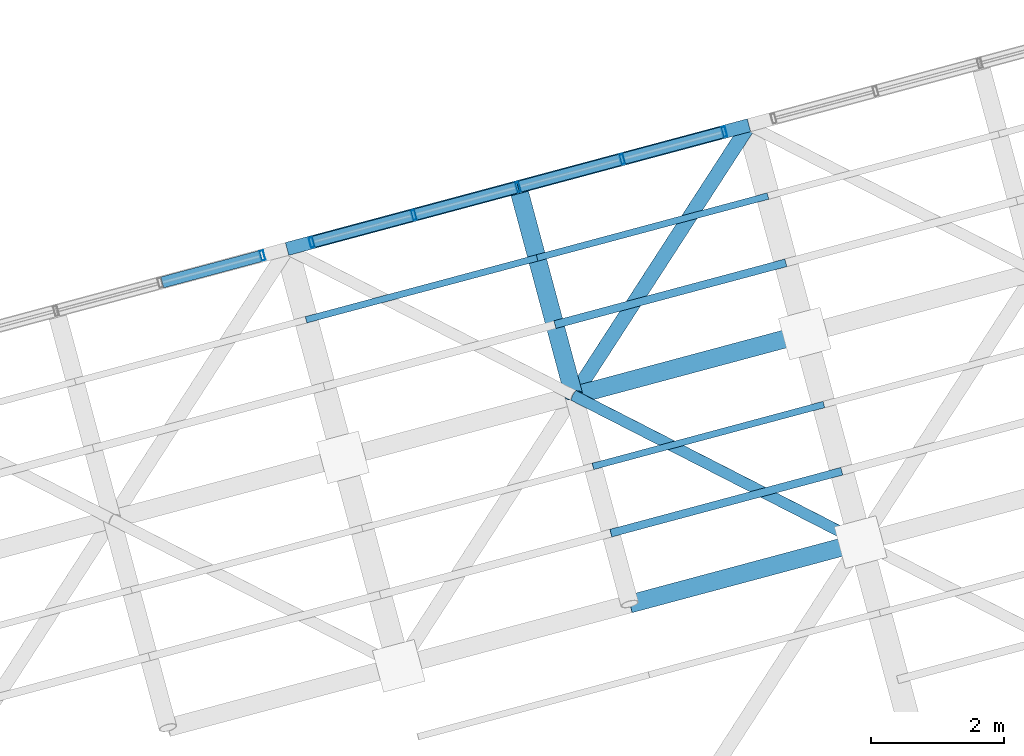
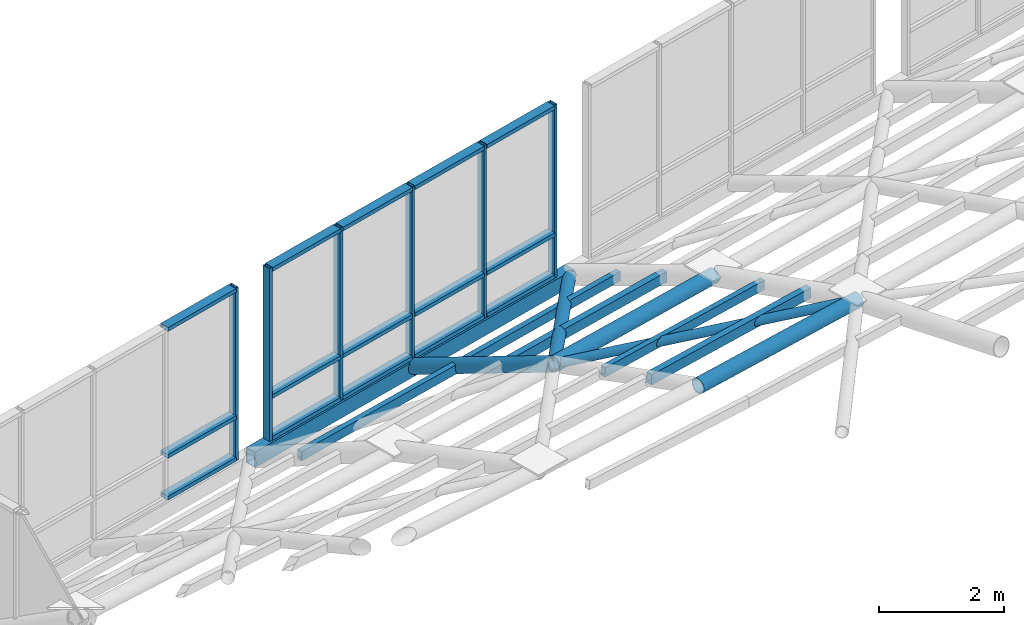
# One storey, part 11 of 29: 33 members, 2 elements without a shape of their own.
"""IFC4 building model written with IfcOpenShell, lengths in metres."""

import ifcopenshell
import ifcopenshell.guid

model = None  # the IFC model being written
_history = None  # IfcOwnerHistory: only IFC2X3 demands one
_inside = {}  # id of a spatial element -> (the spatial element, [elements in it])
_under = {}  # id of a project, library or spatial element -> (it, [spatial elements below it])
_declared = {}  # id of a project -> (the project, [libraries it declares])
_typed = {}  # id of a type object -> (the type object, [elements of that type])
_made_of = {}  # id of a material, layer set ... -> (it, [elements and type objects made of it])


def new_model(schema):
    """Start an empty IFC model of exactly this schema.

    Asked for "IFC4X3", IfcOpenShell would pick the latest addendum, in which some entities
    have other attributes; the version numbers below select the first issue.
    IFC2X3 requires an IfcOwnerHistory on every rooted entity: one is made here for all.
    """
    global model, _history
    if schema == "IFC4X3":
        model = ifcopenshell.file(schema_version=(4, 3, 0, 0))
    else:
        model = ifcopenshell.file(schema=schema)
    _inside.clear()
    _under.clear()
    _declared.clear()
    _typed.clear()
    _made_of.clear()
    _history = None
    if model.schema == "IFC2X3":
        org = make("IfcOrganization", Name="unknown")
        user = make(
            "IfcPersonAndOrganization",
            ThePerson=make("IfcPerson", FamilyName="unknown"),
            TheOrganization=org,
        )
        app = make(
            "IfcApplication",
            ApplicationDeveloper=org,
            Version="unknown",
            ApplicationFullName="unknown",
            ApplicationIdentifier="unknown",
        )
        _history = make(
            "IfcOwnerHistory",
            OwningUser=user,
            OwningApplication=app,
            ChangeAction="ADDED",
            CreationDate=0,
        )
    return model


def make(cls, **values):
    """One entity of the class cls with the attributes given. An attribute that is None is left unset."""
    return model.create_entity(
        cls, **{name: value for name, value in values.items() if value is not None}
    )


def rooted(cls, **values):
    """An entity with a GlobalId (a new one), such as an element, a storey or a relation."""
    return make(cls, GlobalId=ifcopenshell.guid.new(), OwnerHistory=_history, **values)


def si_unit(unit_type, name, prefix=None):
    """IfcSIUnit, for example si_unit("LENGTHUNIT", "METRE", prefix="MILLI")."""
    return make("IfcSIUnit", UnitType=unit_type, Prefix=prefix, Name=name)


def assignment(units):
    """IfcUnitAssignment: the units of a project."""
    return None if units is None else make("IfcUnitAssignment", Units=units)


def point(xyz):
    """IfcCartesianPoint."""
    return None if xyz is None else make("IfcCartesianPoint", Coordinates=xyz)


def direction(xyz):
    """IfcDirection."""
    return None if xyz is None else make("IfcDirection", DirectionRatios=xyz)


def frame(location, z_axis=None, x_axis=None):
    """IfcAxis2Placement3D, a coordinate frame: its origin and axes. An axis left out is left unset."""
    return make(
        "IfcAxis2Placement3D",
        Location=point(location),
        Axis=direction(z_axis),
        RefDirection=direction(x_axis),
    )


def frame_2d(location, x_axis=None):
    """IfcAxis2Placement2D, a coordinate frame in the plane: its origin and x axis."""
    return make(
        "IfcAxis2Placement2D", Location=point(location), RefDirection=direction(x_axis)
    )


def origin():
    """The frame at (0, 0, 0) with its axes left unset."""
    return frame((0.0, 0.0, 0.0))


def origin_2d():
    """The frame at (0, 0) in the plane with its x axis left unset."""
    return frame_2d((0.0, 0.0))


def place(relative_to, where):
    """IfcLocalPlacement: puts the frame where relative to a parent placement (None: the world)."""
    return make(
        "IfcLocalPlacement", PlacementRelTo=relative_to, RelativePlacement=where
    )


def context(
    kind, dimensions, precision=None, world=None, true_north=None, identifier=None
):
    """IfcGeometricRepresentationContext, for example the 3D "Model" context."""
    return make(
        "IfcGeometricRepresentationContext",
        ContextIdentifier=identifier,
        ContextType=kind,
        CoordinateSpaceDimension=dimensions,
        Precision=precision,
        WorldCoordinateSystem=world,
        TrueNorth=true_north,
    )


def subcontext(parent, identifier, kind, view, scale=None):
    """IfcGeometricRepresentationSubContext, for example "Body" below "Model"."""
    return make(
        "IfcGeometricRepresentationSubContext",
        ContextIdentifier=identifier,
        ContextType=kind,
        ParentContext=parent,
        TargetScale=scale,
        TargetView=view,
    )


def project(units=None, contexts=None):
    """IfcProject with its units and contexts."""
    return rooted(
        "IfcProject",
        Name="project",
        RepresentationContexts=contexts,
        UnitsInContext=assignment(units),
    )


def spatial(cls, under=None, at=None, **own):
    """A site, building, storey or space (cls), placed at a placement, below another one or the project."""
    s = rooted(cls, ObjectPlacement=at, **own)
    if under is not None:
        _under.setdefault(under.id(), (under, []))[1].append(s)
    return s


def profile(cls, at=None, kind="AREA", **sizes):
    """A parametric profile (cls). Its sizes go by their IFC names, for example OverallWidth=200.0."""
    return make(cls, ProfileType=kind, Position=at, **sizes)


def hollow_rectangle(**sizes):
    """IfcRectangleHollowProfileDef."""
    return profile("IfcRectangleHollowProfileDef", **sizes)


def hollow_circle(**sizes):
    """IfcCircleHollowProfileDef."""
    return profile("IfcCircleHollowProfileDef", **sizes)


def extrude(swept, where, along, depth):
    """IfcExtrudedAreaSolid: the profile swept, set in the frame where, extruded along a direction by depth."""
    return make(
        "IfcExtrudedAreaSolid",
        SweptArea=swept,
        Position=where,
        ExtrudedDirection=direction(along),
        Depth=depth,
    )


def shape(context_of_items, identifier, shape_type, items):
    """IfcShapeRepresentation: the items that make up one representation, for example the "Body"."""
    return make(
        "IfcShapeRepresentation",
        ContextOfItems=context_of_items,
        RepresentationIdentifier=identifier,
        RepresentationType=shape_type,
        Items=items,
    )


def material(Name=None, Category=None):
    """IfcMaterial."""
    return make("IfcMaterial", Name=Name, Category=Category)


def layer(
    of_material, thickness, ventilated=None, Name=None, Category=None, Priority=None
):
    """IfcMaterialLayer: one layer of a wall or slab, of a material (None: an air gap)."""
    return make(
        "IfcMaterialLayer",
        Material=of_material,
        LayerThickness=thickness,
        IsVentilated=ventilated,
        Name=Name,
        Category=Category,
        Priority=Priority,
    )


def layer_set(layers, Name=None):
    """IfcMaterialLayerSet."""
    return make("IfcMaterialLayerSet", MaterialLayers=layers, LayerSetName=Name)


def material_profile(
    of_material, cross_section, Name=None, Category=None, Priority=None
):
    """IfcMaterialProfile: a cross section and its material."""
    return make(
        "IfcMaterialProfile",
        Name=Name,
        Material=of_material,
        Profile=cross_section,
        Priority=Priority,
        Category=Category,
    )


def profile_set(profiles, Name=None, composite=None):
    """IfcMaterialProfileSet."""
    return make(
        "IfcMaterialProfileSet",
        Name=Name,
        MaterialProfiles=profiles,
        CompositeProfile=composite,
    )


def made_of(thing, what):
    """Note that an element or type object is made of a material, layer set ...; save() writes the relation."""
    if what is not None:
        _made_of.setdefault(what.id(), (what, []))[1].append(thing)
    return thing


def type_object(cls, material=None, **own):
    """A type object (cls), such as IfcWallType, which elements share."""
    return made_of(rooted(cls, **own), material)


def element(
    cls,
    number,
    at=None,
    inside=None,
    cuts=None,
    type_object=None,
    material=None,
    context=None,
    identifier="Body",
    shape_type=None,
    held_by="IfcProductDefinitionShape",
    body=None,
    shapes=None,
    **own,
):
    """One element of the class cls, such as IfcWall. Its Tag is "e" and its number.

    at: its placement. inside: the storey or other place that contains it. cuts: it is an
    opening in that element (IfcRelVoidsElement). A single representation is given by context,
    identifier, shape_type and body (its items); several are given by shapes. held_by: the class
    of the entity that holds the representations. save() writes the other relations.
    """
    e = rooted(cls, Tag="e%d" % number, ObjectPlacement=at, **own)
    if body is not None:
        shapes = [shape(context, identifier, shape_type, body)]
    if shapes is not None:
        e.Representation = make(held_by, Representations=shapes)
    if inside is not None:
        _inside.setdefault(inside.id(), (inside, []))[1].append(e)
    if cuts is not None:
        rooted(
            "IfcRelVoidsElement", RelatingBuildingElement=cuts, RelatedOpeningElement=e
        )
    if type_object is not None:
        _typed.setdefault(type_object.id(), (type_object, []))[1].append(e)
    return made_of(e, material)


def aggregate(whole, parts):
    """IfcRelAggregates: a whole, such as a stair, and the parts it consists of."""
    return rooted("IfcRelAggregates", RelatingObject=whole, RelatedObjects=parts)


def save(model, path):
    """Write the relations noted so far, then the file.

    IfcRelAggregates (storeys below a building ...), IfcRelContainedInSpatialStructure (elements
    in a storey), IfcRelDefinesByType, IfcRelAssociatesMaterial and IfcRelDeclares: one each for
    every whole, place, type object, material and project.
    """
    for whole, parts in _under.values():
        aggregate(whole, parts)
    for where, things in _inside.values():
        rooted(
            "IfcRelContainedInSpatialStructure",
            RelatedElements=things,
            RelatingStructure=where,
        )
    for kind, things in _typed.values():
        rooted("IfcRelDefinesByType", RelatedObjects=things, RelatingType=kind)
    for what, things in _made_of.values():
        rooted("IfcRelAssociatesMaterial", RelatedObjects=things, RelatingMaterial=what)
    for by, libraries in _declared.values():
        rooted("IfcRelDeclares", RelatingContext=by, RelatedDefinitions=libraries)
    model.write(path)


model = new_model("IFC4")

# Units and contexts
model_context = context("Model", 3, precision=1e-05, world=origin(), true_north=direction((0.0, 1.0)))
body_context = subcontext(model_context, "Body", "Model", "MODEL_VIEW")
ifc_project = project(units=[si_unit("LENGTHUNIT", "METRE"), si_unit("AREAUNIT", "SQUARE_METRE"), si_unit("VOLUMEUNIT", "CUBIC_METRE"), si_unit("PLANEANGLEUNIT", "RADIAN"), si_unit("MASSUNIT", "GRAM", prefix="KILO")], contexts=[model_context])

# Site, building, storey
site_placement = place(None, origin())
site = spatial("IfcSite", under=ifc_project, at=site_placement, CompositionType="ELEMENT")
building_placement = place(site_placement, origin())
building = spatial("IfcBuilding", under=site, at=building_placement, Name="Ventoquebrada Cableway Terminal", CompositionType="ELEMENT")
storey_placement = place(building_placement, frame((0.0, 0.0, 18.89990234375)))
storey = spatial("IfcBuildingStorey", under=building, at=storey_placement, Name="L04", CompositionType="ELEMENT", Elevation=18.89990234375)

# Members
ifc_material_1 = material(Name="Steel ASTM A500 Grade C", Category="steel")
ifc_material_profile_1 = material_profile(ifc_material_1, hollow_circle(Radius=0.109619140625, WallThickness=0.010009765625, at=origin_2d()), Name="CHS219.1X10")
ifc_profile_set_1 = profile_set([ifc_material_profile_1], Name="Steel ASTM A500 Grade C")
member_type_1 = type_object("IfcMemberType", Name="BRC-GS01", PredefinedType="BRACE", material=ifc_profile_set_1)
member_1_placement = place(storey_placement, frame((56.52197265625, 94.553955078125, 2.571044921875), z_axis=(0.514518979655, 0.794628506599, -0.322235559917), x_axis=(-0.839402648036, 0.543510068416, 0.0)))
element("IfcMember", 1, at=member_1_placement, inside=storey, type_object=member_type_1, Name="Saddle gridshell diagrid brace GBR-0286", PredefinedType="BRACE", context=body_context, shape_type="SweptSolid", body=[
    extrude(hollow_circle(Radius=0.109619140625, WallThickness=0.010009765625, at=origin_2d()), origin(), (0.0, 0.0, 1.0), 5.123291015625),
])
ifc_material_profile_2 = material_profile(ifc_material_1, hollow_circle(Radius=0.084228515625, WallThickness=0.008056640625, at=origin_2d()), Name="CHS168.3X8")
ifc_profile_set_2 = profile_set([ifc_material_profile_2], Name="Steel ASTM A500 Grade C")
member_type_2 = type_object("IfcMemberType", Name="BRC-GS02", PredefinedType="BRACE", material=ifc_profile_set_2)
member_2_placement = place(storey_placement, frame((56.52197265625, 94.553955078125, 2.571044921875), z_axis=(0.869102008626, -0.444206601344, 0.217582614021), x_axis=(0.455110172756, 0.890435135568, 0.0)))
element("IfcMember", 2, at=member_2_placement, inside=storey, type_object=member_type_2, Name="Saddle gridshell diagrid brace GBR-0283", PredefinedType="BRACE", context=body_context, shape_type="SweptSolid", body=[
    extrude(hollow_circle(Radius=0.084228515625, WallThickness=0.008056640625, at=origin_2d()), origin(), (0.0, 0.0, 1.0), 4.968505859375),
])
ifc_material_profile_3 = material_profile(ifc_material_1, hollow_circle(Radius=0.136474609375, WallThickness=0.012451171875, at=origin_2d()), Name="CHS273.0X12.5")
ifc_profile_set_3 = profile_set([ifc_material_profile_3], Name="Steel ASTM A500 Grade C")
member_type_3 = type_object("IfcMemberType", Name="CHD-GS02", PredefinedType="CHORD", material=ifc_profile_set_3)
member_3_placement = place(storey_placement, frame((56.52197265625, 94.553955078125, 2.571044921875), z_axis=(-0.230681998536, 0.861257435464, -0.452792938781), x_axis=(-0.965951403156, -0.258723572063, 0.0)))
element("IfcMember", 3, at=member_3_placement, inside=storey, type_object=member_type_3, Name="Saddle gridshell arch chord GCH-0046", PredefinedType="CHORD", context=body_context, shape_type="SweptSolid", body=[
    extrude(hollow_circle(Radius=0.136474609375, WallThickness=0.012451171875, at=origin_2d()), origin(), (0.0, 0.0, 1.0), 3.64599609375),
])
member_4_placement = place(storey_placement, frame((57.363037109375, 91.4150390625, 3.75), z_axis=(0.965554098459, 0.258778261046, -0.027186293602), x_axis=(-0.258873944891, 0.965911114263, 0.0)))
element("IfcMember", 4, at=member_4_placement, inside=storey, type_object=member_type_3, Name="Saddle gridshell longitudinal chord GLG-0166", PredefinedType="CHORD", context=body_context, shape_type="SweptSolid", body=[
    extrude(hollow_circle(Radius=0.136474609375, WallThickness=0.012451171875, at=origin_2d()), origin(), (0.0, 0.0, 1.0), 3.60107421875),
])
member_5_placement = place(storey_placement, frame((56.52197265625, 94.553955078125, 2.571044921875), z_axis=(0.965773581626, 0.258904896408, -0.01580011547), x_axis=(-0.258937219442, 0.965894153822, 0.0)))
element("IfcMember", 5, at=member_5_placement, inside=storey, type_object=member_type_3, Name="Saddle gridshell longitudinal chord GLG-0176", PredefinedType="CHORD", context=body_context, shape_type="SweptSolid", body=[
    extrude(hollow_circle(Radius=0.136474609375, WallThickness=0.012451171875, at=origin_2d()), origin(), (0.0, 0.0, 1.0), 3.600341796875),
])
ifc_material_profile_4 = material_profile(ifc_material_1, hollow_rectangle(XDim=0.199951171875, YDim=0.300048828125, WallThickness=0.012451171875, at=origin_2d()), Name="RHS300X200X12.5")
ifc_profile_set_4 = profile_set([ifc_material_profile_4], Name="Steel ASTM A500 Grade C")
member_type_4 = type_object("IfcMemberType", Name="CHD-GS03", PredefinedType="CHORD", material=ifc_profile_set_4)
member_6_placement = place(storey_placement, frame((52.202880859375, 96.761962890625, 0.920166015625), z_axis=(0.96591233562, 0.258869387716, 0.0), x_axis=(-0.258869387716, 0.96591233562, 0.0)))
element("IfcMember", 6, at=member_6_placement, inside=storey, type_object=member_type_4, Name="Saddle gridshell longitudinal chord GLG-0185", PredefinedType="CHORD", context=body_context, shape_type="SweptSolid", body=[
    extrude(hollow_rectangle(XDim=0.199951171875, YDim=0.300048828125, WallThickness=0.012451171875, at=origin_2d()), origin(), (0.0, 0.0, 1.0), 3.600830078125),
])
member_7_placement = place(storey_placement, frame((55.680908203125, 97.694091796875, 0.920166015625), z_axis=(0.965978920523, 0.258620813366, 0.0), x_axis=(-0.258620813366, 0.965978920523, 0.0)))
element("IfcMember", 7, at=member_7_placement, inside=storey, type_object=member_type_4, Name="Saddle gridshell longitudinal chord GLG-0186", PredefinedType="CHORD", context=body_context, shape_type="SweptSolid", body=[
    extrude(hollow_rectangle(XDim=0.199951171875, YDim=0.300048828125, WallThickness=0.012451171875, at=origin_2d()), origin(), (0.0, 0.0, 1.0), 3.599609375),
])

# Curtain wall, member
ifc_material_2 = material(Name="Anodized thermally-broken aluminium", Category="aluminium")
ifc_layer = layer(ifc_material_2, 0.159912109375)
ifc_layer_set = layer_set([ifc_layer], Name="Anodized thermally-broken aluminium")
curtain_wall_type = type_object("IfcCurtainWallType", Name="CW-T45", PredefinedType="USERDEFINED", material=ifc_layer_set)
curtain_wall_1_placement = place(storey_placement, origin())
curtain_wall_1 = element("IfcCurtainWall", 8, at=curtain_wall_1_placement, inside=storey, type_object=curtain_wall_type, Name="Unitised glazed curtain wall CW-138", ObjectType="UNITISED CURTAIN WALL", PredefinedType="USERDEFINED")
ifc_material_profile_5 = material_profile(ifc_material_2, hollow_rectangle(XDim=0.06005859375, YDim=0.14990234375, WallThickness=0.00390625, at=origin_2d()), Name="CW-MUL-60X150")
ifc_profile_set_5 = profile_set([ifc_material_profile_5], Name="Anodized thermally-broken aluminium")
member_type_5 = type_object("IfcMemberType", Name="CWM-03", PredefinedType="MULLION", material=ifc_profile_set_5)
member_8_placement = place(storey_placement, frame((51.8310546875, 96.662109375, 1.087158203125), z_axis=(0.0, 0.0, 1.0), x_axis=(-0.96593486019, -0.258785327773, 0.0)))
member_8 = element("IfcMember", 9, at=member_8_placement, type_object=member_type_5, Name="Curtain wall mullion FML-0671", PredefinedType="MULLION", context=body_context, shape_type="SweptSolid", body=[
    extrude(hollow_rectangle(XDim=0.06005859375, YDim=0.14990234375, WallThickness=0.00390625, at=origin_2d()), origin(), (0.0, 0.0, 1.0), 3.373046875),
])

# Curtain wall, members
curtain_wall_2_placement = place(storey_placement, origin())
curtain_wall_2 = element("IfcCurtainWall", 10, at=curtain_wall_2_placement, inside=storey, type_object=curtain_wall_type, Name="Unitised glazed curtain wall CW-139", ObjectType="UNITISED CURTAIN WALL", PredefinedType="USERDEFINED")
member_9_placement = place(storey_placement, frame((58.785888671875, 98.52587890625, 1.087158203125), z_axis=(0.0, 0.0, 1.0), x_axis=(-0.965903236389, -0.258903337047, 0.0)))
member_9 = element("IfcMember", 11, at=member_9_placement, type_object=member_type_5, Name="Curtain wall mullion FML-0676", PredefinedType="MULLION", context=body_context, shape_type="SweptSolid", body=[
    extrude(hollow_rectangle(XDim=0.06005859375, YDim=0.14990234375, WallThickness=0.00390625, at=origin_2d()), origin(), (0.0, 0.0, 1.0), 3.373046875),
])
member_10_placement = place(storey_placement, frame((57.25, 98.114013671875, 1.087158203125), z_axis=(0.0, 0.0, 1.0), x_axis=(-0.965903236389, -0.258903337047, 0.0)))
member_10 = element("IfcMember", 12, at=member_10_placement, type_object=member_type_5, Name="Curtain wall mullion FML-0677", PredefinedType="MULLION", context=body_context, shape_type="SweptSolid", body=[
    extrude(hollow_rectangle(XDim=0.06005859375, YDim=0.14990234375, WallThickness=0.00390625, at=origin_2d()), origin(), (0.0, 0.0, 1.0), 3.373046875),
])
member_11_placement = place(storey_placement, frame((55.679931640625, 97.694091796875, 1.087158203125), z_axis=(0.0, 0.0, 1.0), x_axis=(-0.965903236389, -0.258903337047, 0.0)))
member_11 = element("IfcMember", 13, at=member_11_placement, type_object=member_type_5, Name="Curtain wall mullion FML-0678", PredefinedType="MULLION", context=body_context, shape_type="SweptSolid", body=[
    extrude(hollow_rectangle(XDim=0.06005859375, YDim=0.14990234375, WallThickness=0.00390625, at=origin_2d()), origin(), (0.0, 0.0, 1.0), 3.373046875),
])
member_12_placement = place(storey_placement, frame((54.111083984375, 97.27294921875, 1.087158203125), z_axis=(0.0, 0.0, 1.0), x_axis=(-0.965903236389, -0.258903337047, 0.0)))
member_12 = element("IfcMember", 14, at=member_12_placement, type_object=member_type_5, Name="Curtain wall mullion FML-0679", PredefinedType="MULLION", context=body_context, shape_type="SweptSolid", body=[
    extrude(hollow_rectangle(XDim=0.06005859375, YDim=0.14990234375, WallThickness=0.00390625, at=origin_2d()), origin(), (0.0, 0.0, 1.0), 3.373046875),
])
member_13_placement = place(storey_placement, frame((52.574951171875, 96.861083984375, 1.087158203125), z_axis=(0.0, 0.0, 1.0), x_axis=(-0.965903236389, -0.258903337047, 0.0)))
member_13 = element("IfcMember", 15, at=member_13_placement, type_object=member_type_5, Name="Curtain wall mullion FML-0680", PredefinedType="MULLION", context=body_context, shape_type="SweptSolid", body=[
    extrude(hollow_rectangle(XDim=0.06005859375, YDim=0.14990234375, WallThickness=0.00390625, at=origin_2d()), origin(), (0.0, 0.0, 1.0), 3.373046875),
])

# Member
ifc_material_profile_6 = material_profile(ifc_material_2, hollow_rectangle(XDim=0.074951171875, YDim=0.169921875, WallThickness=0.00439453125, at=origin_2d()), Name="CW-TRN-75X170")
ifc_profile_set_6 = profile_set([ifc_material_profile_6], Name="Anodized thermally-broken aluminium")
member_type_6 = type_object("IfcMemberType", Name="CWT-03", PredefinedType="USERDEFINED", material=ifc_profile_set_6)
member_14_placement = place(storey_placement, frame((51.806884765625, 96.655029296875, 1.130126953125), z_axis=(-0.965997587881, -0.25855107853, 0.0), x_axis=(0.0, 0.0, 1.0)))
member_14 = element("IfcMember", 16, at=member_14_placement, type_object=member_type_6, Name="Curtain wall transom FTR-1980", ObjectType="TRANSOM", PredefinedType="USERDEFINED", context=body_context, shape_type="SweptSolid", body=[
    extrude(hollow_rectangle(XDim=0.074951171875, YDim=0.169921875, WallThickness=0.00439453125, at=origin_2d()), origin(), (0.0, 0.0, 1.0), 1.5390625),
])

member_15_placement = place(storey_placement, frame((51.806884765625, 96.655029296875, 1.945068359375), z_axis=(-0.965997587881, -0.25855107853, 0.0), x_axis=(0.0, 0.0, 1.0)))
member_15 = element("IfcMember", 17, at=member_15_placement, type_object=member_type_6, Name="Curtain wall transom FTR-1981", ObjectType="TRANSOM", PredefinedType="USERDEFINED", context=body_context, shape_type="SweptSolid", body=[
    extrude(hollow_rectangle(XDim=0.074951171875, YDim=0.169921875, WallThickness=0.00439453125, at=origin_2d()), origin(), (0.0, 0.0, 1.0), 1.5390625),
])

member_16_placement = place(storey_placement, frame((51.806884765625, 96.655029296875, 4.420166015625), z_axis=(-0.965997587881, -0.25855107853, 0.0), x_axis=(0.0, 0.0, 1.0)))
member_16 = element("IfcMember", 18, at=member_16_placement, type_object=member_type_6, Name="Curtain wall transom FTR-1982", ObjectType="TRANSOM", PredefinedType="USERDEFINED", context=body_context, shape_type="SweptSolid", body=[
    extrude(hollow_rectangle(XDim=0.074951171875, YDim=0.169921875, WallThickness=0.00439453125, at=origin_2d()), origin(), (0.0, 0.0, 1.0), 1.5390625),
])

aggregate(curtain_wall_1, [member_8, member_14, member_15, member_16])

member_17_placement = place(storey_placement, frame((58.761962890625, 98.51904296875, 1.130126953125), z_axis=(-0.966050544784, -0.25835313995, 0.0), x_axis=(0.0, 0.0, 1.0)))
member_17 = element("IfcMember", 19, at=member_17_placement, type_object=member_type_6, Name="Curtain wall transom FTR-1992", ObjectType="TRANSOM", PredefinedType="USERDEFINED", context=body_context, shape_type="SweptSolid", body=[
    extrude(hollow_rectangle(XDim=0.074951171875, YDim=0.169921875, WallThickness=0.00439453125, at=origin_2d()), origin(), (0.0, 0.0, 1.0), 1.540283203125),
])

member_18_placement = place(storey_placement, frame((58.761962890625, 98.51904296875, 1.945068359375), z_axis=(-0.966050544784, -0.25835313995, 0.0), x_axis=(0.0, 0.0, 1.0)))
member_18 = element("IfcMember", 20, at=member_18_placement, type_object=member_type_6, Name="Curtain wall transom FTR-1993", ObjectType="TRANSOM", PredefinedType="USERDEFINED", context=body_context, shape_type="SweptSolid", body=[
    extrude(hollow_rectangle(XDim=0.074951171875, YDim=0.169921875, WallThickness=0.00439453125, at=origin_2d()), origin(), (0.0, 0.0, 1.0), 1.540283203125),
])

member_19_placement = place(storey_placement, frame((58.761962890625, 98.51904296875, 4.420166015625), z_axis=(-0.966050544784, -0.25835313995, 0.0), x_axis=(0.0, 0.0, 1.0)))
member_19 = element("IfcMember", 21, at=member_19_placement, type_object=member_type_6, Name="Curtain wall transom FTR-1994", ObjectType="TRANSOM", PredefinedType="USERDEFINED", context=body_context, shape_type="SweptSolid", body=[
    extrude(hollow_rectangle(XDim=0.074951171875, YDim=0.169921875, WallThickness=0.00439453125, at=origin_2d()), origin(), (0.0, 0.0, 1.0), 1.540283203125),
])

member_20_placement = place(storey_placement, frame((57.22607421875, 98.10791015625, 1.130126953125), z_axis=(-0.965860816082, -0.259061544731, 0.0), x_axis=(0.0, 0.0, 1.0)))
member_20 = element("IfcMember", 22, at=member_20_placement, type_object=member_type_6, Name="Curtain wall transom FTR-1995", ObjectType="TRANSOM", PredefinedType="USERDEFINED", context=body_context, shape_type="SweptSolid", body=[
    extrude(hollow_rectangle(XDim=0.074951171875, YDim=0.169921875, WallThickness=0.00439453125, at=origin_2d()), origin(), (0.0, 0.0, 1.0), 1.57470703125),
])

member_21_placement = place(storey_placement, frame((57.22607421875, 98.10791015625, 1.945068359375), z_axis=(-0.965860816082, -0.259061544731, 0.0), x_axis=(0.0, 0.0, 1.0)))
member_21 = element("IfcMember", 23, at=member_21_placement, type_object=member_type_6, Name="Curtain wall transom FTR-1996", ObjectType="TRANSOM", PredefinedType="USERDEFINED", context=body_context, shape_type="SweptSolid", body=[
    extrude(hollow_rectangle(XDim=0.074951171875, YDim=0.169921875, WallThickness=0.00439453125, at=origin_2d()), origin(), (0.0, 0.0, 1.0), 1.57470703125),
])

member_22_placement = place(storey_placement, frame((57.22607421875, 98.10791015625, 4.420166015625), z_axis=(-0.965860816082, -0.259061544731, 0.0), x_axis=(0.0, 0.0, 1.0)))
member_22 = element("IfcMember", 24, at=member_22_placement, type_object=member_type_6, Name="Curtain wall transom FTR-1997", ObjectType="TRANSOM", PredefinedType="USERDEFINED", context=body_context, shape_type="SweptSolid", body=[
    extrude(hollow_rectangle(XDim=0.074951171875, YDim=0.169921875, WallThickness=0.00439453125, at=origin_2d()), origin(), (0.0, 0.0, 1.0), 1.57470703125),
])

member_23_placement = place(storey_placement, frame((55.656005859375, 97.68701171875, 1.130126953125), z_axis=(-0.965860816082, -0.259061544731, 0.0), x_axis=(0.0, 0.0, 1.0)))
member_23 = element("IfcMember", 25, at=member_23_placement, type_object=member_type_6, Name="Curtain wall transom FTR-1998", ObjectType="TRANSOM", PredefinedType="USERDEFINED", context=body_context, shape_type="SweptSolid", body=[
    extrude(hollow_rectangle(XDim=0.074951171875, YDim=0.169921875, WallThickness=0.00439453125, at=origin_2d()), origin(), (0.0, 0.0, 1.0), 1.57470703125),
])

member_24_placement = place(storey_placement, frame((55.656005859375, 97.68701171875, 1.945068359375), z_axis=(-0.965860816082, -0.259061544731, 0.0), x_axis=(0.0, 0.0, 1.0)))
member_24 = element("IfcMember", 26, at=member_24_placement, type_object=member_type_6, Name="Curtain wall transom FTR-1999", ObjectType="TRANSOM", PredefinedType="USERDEFINED", context=body_context, shape_type="SweptSolid", body=[
    extrude(hollow_rectangle(XDim=0.074951171875, YDim=0.169921875, WallThickness=0.00439453125, at=origin_2d()), origin(), (0.0, 0.0, 1.0), 1.57470703125),
])

member_25_placement = place(storey_placement, frame((55.656005859375, 97.68701171875, 4.420166015625), z_axis=(-0.965860816082, -0.259061544731, 0.0), x_axis=(0.0, 0.0, 1.0)))
member_25 = element("IfcMember", 27, at=member_25_placement, type_object=member_type_6, Name="Curtain wall transom FTR-2000", ObjectType="TRANSOM", PredefinedType="USERDEFINED", context=body_context, shape_type="SweptSolid", body=[
    extrude(hollow_rectangle(XDim=0.074951171875, YDim=0.169921875, WallThickness=0.00439453125, at=origin_2d()), origin(), (0.0, 0.0, 1.0), 1.57470703125),
])

member_26_placement = place(storey_placement, frame((54.0869140625, 97.26611328125, 1.130126953125), z_axis=(-0.966000383253, -0.258540634244, 0.0), x_axis=(0.0, 0.0, 1.0)))
member_26 = element("IfcMember", 28, at=member_26_placement, type_object=member_type_6, Name="Curtain wall transom FTR-2001", ObjectType="TRANSOM", PredefinedType="USERDEFINED", context=body_context, shape_type="SweptSolid", body=[
    extrude(hollow_rectangle(XDim=0.074951171875, YDim=0.169921875, WallThickness=0.00439453125, at=origin_2d()), origin(), (0.0, 0.0, 1.0), 1.5400390625),
])

member_27_placement = place(storey_placement, frame((54.0869140625, 97.26611328125, 1.945068359375), z_axis=(-0.966000383253, -0.258540634244, 0.0), x_axis=(0.0, 0.0, 1.0)))
member_27 = element("IfcMember", 29, at=member_27_placement, type_object=member_type_6, Name="Curtain wall transom FTR-2002", ObjectType="TRANSOM", PredefinedType="USERDEFINED", context=body_context, shape_type="SweptSolid", body=[
    extrude(hollow_rectangle(XDim=0.074951171875, YDim=0.169921875, WallThickness=0.00439453125, at=origin_2d()), origin(), (0.0, 0.0, 1.0), 1.5400390625),
])

member_28_placement = place(storey_placement, frame((54.0869140625, 97.26611328125, 4.420166015625), z_axis=(-0.966000383253, -0.258540634244, 0.0), x_axis=(0.0, 0.0, 1.0)))
member_28 = element("IfcMember", 30, at=member_28_placement, type_object=member_type_6, Name="Curtain wall transom FTR-2003", ObjectType="TRANSOM", PredefinedType="USERDEFINED", context=body_context, shape_type="SweptSolid", body=[
    extrude(hollow_rectangle(XDim=0.074951171875, YDim=0.169921875, WallThickness=0.00439453125, at=origin_2d()), origin(), (0.0, 0.0, 1.0), 1.5400390625),
])

aggregate(curtain_wall_2, [member_9, member_10, member_11, member_12, member_13, member_17, member_18, member_19, member_20, member_21, member_22, member_23, member_24, member_25, member_26, member_27, member_28])

# Members
ifc_material_profile_7 = material_profile(ifc_material_1, hollow_rectangle(XDim=0.1201171875, YDim=0.199951171875, WallThickness=0.008056640625, at=origin_2d()), Name="RHS200X120X8")
ifc_profile_set_7 = profile_set([ifc_material_profile_7], Name="Steel ASTM A500 Grade C")
member_type_7 = type_object("IfcMemberType", Name="PUR-RF01", PredefinedType="PURLIN", material=ifc_profile_set_7)
member_29_placement = place(storey_placement, frame((57.076904296875, 92.48193359375, 3.34912109375), z_axis=(0.965631395612, 0.258866779135, -0.023323774757), x_axis=(-0.258937219442, 0.965894153822, 0.0)))
element("IfcMember", 31, at=member_29_placement, inside=storey, type_object=member_type_7, Name="Gridshell secondary roof purlin GPR-0284", PredefinedType="PURLIN", context=body_context, shape_type="SweptSolid", body=[
    extrude(hollow_rectangle(XDim=0.1201171875, YDim=0.199951171875, WallThickness=0.008056640625, at=origin_2d()), origin(), (0.0, 0.0, 1.0), 3.600830078125),
])
member_30_placement = place(storey_placement, frame((56.236083984375, 95.6220703125, 2.010009765625), z_axis=(0.965920999285, 0.258623465366, -0.010513148999), x_axis=(-0.258637758898, 0.965974383549, 0.0)))
element("IfcMember", 32, at=member_30_placement, inside=storey, type_object=member_type_7, Name="Gridshell secondary roof purlin GPR-0287", PredefinedType="PURLIN", context=body_context, shape_type="SweptSolid", body=[
    extrude(hollow_rectangle(XDim=0.1201171875, YDim=0.199951171875, WallThickness=0.008056640625, at=origin_2d()), origin(), (0.0, 0.0, 1.0), 3.599365234375),
])
ifc_material_profile_8 = material_profile(ifc_material_1, hollow_rectangle(XDim=0.10009765625, YDim=0.179931640625, WallThickness=0.008056640625, at=origin_2d()), Name="RHS180X100X8")
ifc_profile_set_8 = profile_set([ifc_material_profile_8], Name="Steel ASTM A500 Grade C")
member_type_8 = type_object("IfcMemberType", Name="PUR-RF02", PredefinedType="PURLIN", material=ifc_profile_set_8)
member_31_placement = place(storey_placement, frame((52.489013671875, 95.695068359375, 1.51318359375), z_axis=(0.965958950428, 0.258542852589, -0.008882537028), x_axis=(-0.258553052639, 0.965997059504, 0.0)))
element("IfcMember", 33, at=member_31_placement, inside=storey, type_object=member_type_8, Name="Gridshell secondary roof purlin GPR-0264", PredefinedType="PURLIN", context=body_context, shape_type="SweptSolid", body=[
    extrude(hollow_rectangle(XDim=0.10009765625, YDim=0.179931640625, WallThickness=0.008056640625, at=origin_2d()), origin(), (0.0, 0.0, 1.0), 3.6005859375),
])
member_32_placement = place(storey_placement, frame((56.80810546875, 93.487060546875, 2.97216796875), z_axis=(0.965718484008, 0.258840492483, -0.019733451222), x_axis=(-0.258890904628, 0.965906568722, 0.0)))
element("IfcMember", 34, at=member_32_placement, inside=storey, type_object=member_type_8, Name="Gridshell secondary roof purlin GPR-0285", PredefinedType="PURLIN", context=body_context, shape_type="SweptSolid", body=[
    extrude(hollow_rectangle(XDim=0.10009765625, YDim=0.179931640625, WallThickness=0.008056640625, at=origin_2d()), origin(), (0.0, 0.0, 1.0), 3.600341796875),
])
member_33_placement = place(storey_placement, frame((55.967041015625, 96.6259765625, 1.481201171875), z_axis=(0.965880639423, 0.258933596497, -0.005289895371), x_axis=(-0.258937219442, 0.965894153822, 0.0)))
element("IfcMember", 35, at=member_33_placement, inside=storey, type_object=member_type_8, Name="Gridshell secondary roof purlin GPR-0288", PredefinedType="PURLIN", context=body_context, shape_type="SweptSolid", body=[
    extrude(hollow_rectangle(XDim=0.10009765625, YDim=0.179931640625, WallThickness=0.008056640625, at=origin_2d()), origin(), (0.0, 0.0, 1.0), 3.599853515625),
])

save(model, "model.ifc")
